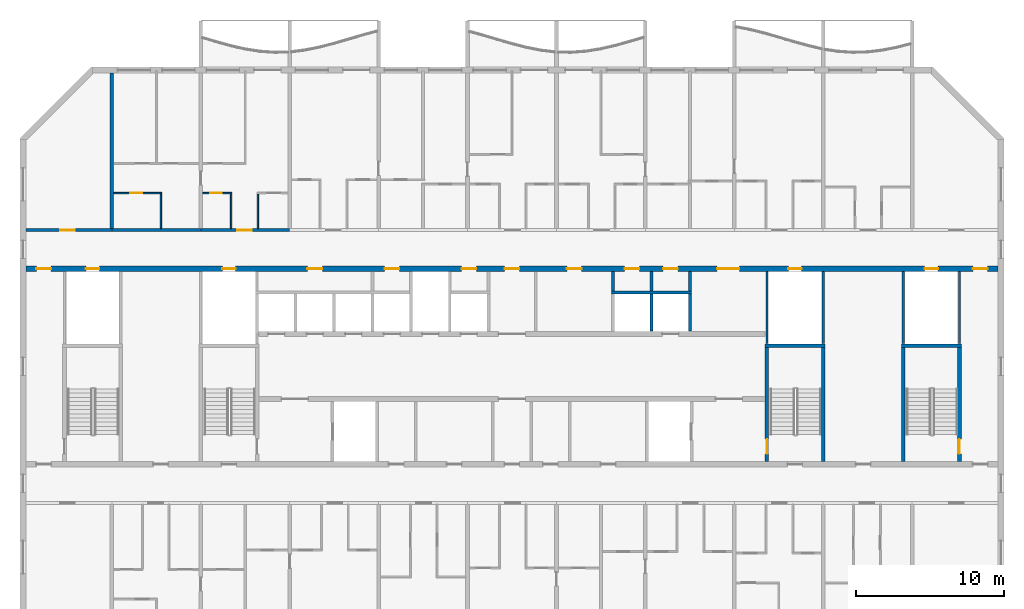
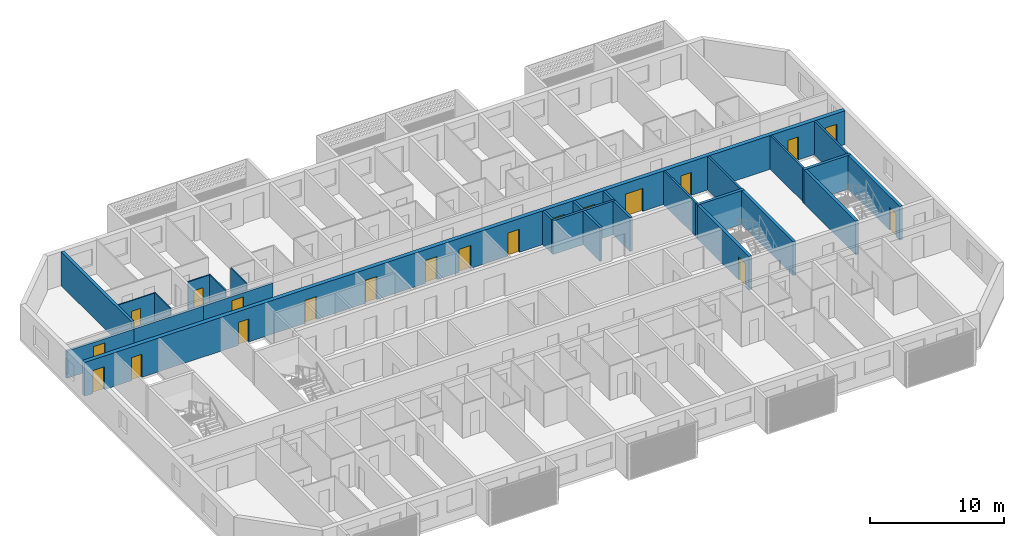
# One storey, part 7 of 27: 26 walls, 20 doors, 20 openings.
"""IFC4 building model written with IfcOpenShell, lengths in metres."""

from ifc_helpers import new_model, si_unit, direction, frame, frame_2d, origin, place, context, subcontext, project, spatial, rectangle, extrude, material, layer, layer_set, type_object, element, fill, save


model = new_model("IFC4")

# Units and contexts
model_context = context("Model", 3, precision=1e-05, world=origin(), true_north=direction((0.0, 1.0)))
body_context = subcontext(model_context, "Body", "Model", "MODEL_VIEW")
ifc_project = project(units=[si_unit("LENGTHUNIT", "METRE"), si_unit("AREAUNIT", "SQUARE_METRE"), si_unit("VOLUMEUNIT", "CUBIC_METRE"), si_unit("PLANEANGLEUNIT", "RADIAN"), si_unit("MASSUNIT", "GRAM", prefix="KILO")], contexts=[model_context])

# Site, building, storey
site_placement = place(None, origin())
site = spatial("IfcSite", under=ifc_project, at=site_placement, CompositionType="ELEMENT")
building_placement = place(site_placement, origin())
building = spatial("IfcBuilding", under=site, at=building_placement, Name="Poui Terraces", CompositionType="ELEMENT")
storey_placement = place(building_placement, frame((0.0, 0.0, 254.39990234375)))
storey = spatial("IfcBuildingStorey", under=building, at=storey_placement, Name="L71", CompositionType="ELEMENT", Elevation=254.39990234375)

# Wall, opening, door
ifc_material_1 = material(Name="Concrete 50 MPa", Category="concrete")
ifc_layer_1 = layer(ifc_material_1, 0.199951171875)
ifc_layer_set_1 = layer_set([ifc_layer_1], Name="Concrete 50 MPa")
wall_type_1 = type_object("IfcWallType", Name="CORRIDOR WALL 200 50MPa", PredefinedType="SHEAR", material=ifc_layer_set_1)
wall_1_placement = place(storey_placement, frame((18.199951171875, 30.39990234375, 0.0), z_axis=(0.0, 0.0, 1.0), x_axis=(1.0, 0.0, 0.0)))
wall_1 = element("IfcWall", 1, at=wall_1_placement, inside=storey, type_object=wall_type_1, Name="CORRIDOR WALL LINE E BAY 1", PredefinedType="SHEAR", context=body_context, shape_type="SweptSolid", body=[
    extrude(rectangle(XDim=5.800048828125, YDim=0.199951171875, at=frame_2d((2.89990234375, 0.0))), origin(), (0.0, 0.0, 1.0), 2.47998046875),
])
opening_1_placement = place(wall_1_placement, frame((2.300048828125, 0.0, 0.0)))
opening_1 = element("IfcOpeningElement", 2, at=opening_1_placement, cuts=wall_1, Name="Opening D100", PredefinedType="OPENING", context=body_context, shape_type="SweptSolid", body=[
    extrude(rectangle(XDim=1.0, YDim=2.10009765625, at=frame_2d((0.5, 1.050048828125))), frame((0.0, 0.10986328125, 0.0), z_axis=(0.0, -1.0, 0.0), x_axis=(1.0, 0.0, 0.0)), (0.0, 0.0, 1.0), 0.219970703125),
])
ifc_material_2 = material(Name="Solid core timber door", Category="wood")
door_type_1 = type_object("IfcDoorType", Name="ACCESSIBLE INTERNAL DOOR 1000 X 2100", OperationType="NOTDEFINED", PredefinedType="DOOR", material=ifc_material_2)
door_1_placement = place(opening_1_placement, origin())
door_1 = element("IfcDoor", 3, at=door_1_placement, inside=storey, type_object=door_type_1, Name="ACCESSIBLE INTERNAL DOOR 026", OperationType="SINGLE_SWING_LEFT", OverallHeight=2.10009765625, OverallWidth=1.0, PredefinedType="DOOR", context=body_context, shape_type="SweptSolid", body=[
    extrude(rectangle(XDim=1.0, YDim=2.10009765625, at=frame_2d((0.5, 1.050048828125))), frame((0.0, 0.02490234375, 0.0), z_axis=(0.0, -1.0, 0.0), x_axis=(1.0, 0.0, 0.0)), (0.0, 0.0, 1.0), 0.050048828125),
])
fill(opening_1, door_1)

# Wall
wall_2_placement = place(storey_placement, frame((24.0, 30.39990234375, 0.0), z_axis=(0.0, 0.0, 1.0), x_axis=(1.0, 0.0, 0.0)))
element("IfcWall", 4, at=wall_2_placement, inside=storey, type_object=wall_type_1, Name="CORRIDOR WALL LINE E BAY 2", PredefinedType="SHEAR", context=body_context, shape_type="SweptSolid", body=[
    extrude(rectangle(XDim=6.0, YDim=0.199951171875, at=frame_2d((3.0, 0.0))), origin(), (0.0, 0.0, 1.0), 2.47998046875),
])

# Wall, opening, door
wall_3_placement = place(storey_placement, frame((30.0, 30.39990234375, 0.0), z_axis=(0.0, 0.0, 1.0), x_axis=(1.0, 0.0, 0.0)))
wall_3 = element("IfcWall", 5, at=wall_3_placement, inside=storey, type_object=wall_type_1, Name="CORRIDOR WALL LINE E BAY 3", PredefinedType="SHEAR", context=body_context, shape_type="SweptSolid", body=[
    extrude(rectangle(XDim=6.0, YDim=0.199951171875, at=frame_2d((3.0, 0.0))), origin(), (0.0, 0.0, 1.0), 2.47998046875),
])
opening_2_placement = place(wall_3_placement, frame((2.449951171875, 0.0, 0.0)))
opening_2 = element("IfcOpeningElement", 6, at=opening_2_placement, cuts=wall_3, Name="Opening FD30S", PredefinedType="OPENING", context=body_context, shape_type="SweptSolid", body=[
    extrude(rectangle(XDim=1.0, YDim=2.10009765625, at=frame_2d((0.5, 1.050048828125))), frame((0.0, 0.10986328125, 0.0), z_axis=(0.0, -1.0, 0.0), x_axis=(1.0, 0.0, 0.0)), (0.0, 0.0, 1.0), 0.219970703125),
])
ifc_material_3 = material(Name="Steel fire door", Category="steel")
door_type_2 = type_object("IfcDoorType", Name="FLAT ENTRANCE DOOR 1000 X 2100", OperationType="NOTDEFINED", PredefinedType="DOOR", material=ifc_material_3)
door_2_placement = place(opening_2_placement, origin())
door_2 = element("IfcDoor", 7, at=door_2_placement, inside=storey, type_object=door_type_2, Name="FLAT ENTRANCE DOOR 033", OperationType="SINGLE_SWING_LEFT", OverallHeight=2.10009765625, OverallWidth=1.0, PredefinedType="DOOR", context=body_context, shape_type="SweptSolid", body=[
    extrude(rectangle(XDim=1.0, YDim=2.10009765625, at=frame_2d((0.5, 1.050048828125))), frame((0.0, 0.02490234375, 0.0), z_axis=(0.0, -1.0, 0.0), x_axis=(1.0, 0.0, 0.0)), (0.0, 0.0, 1.0), 0.050048828125),
])
fill(opening_2, door_2)

# Wall
ifc_layer_2 = layer(ifc_material_1, 0.25)
ifc_layer_set_2 = layer_set([ifc_layer_2], Name="Concrete 50 MPa")
wall_type_2 = type_object("IfcWallType", Name="CROSS WALL 250 50MPa", PredefinedType="SHEAR", material=ifc_layer_set_2)
wall_4_placement = place(storey_placement, frame((24.0, 30.5, 0.0), z_axis=(0.0, 0.0, 1.0), x_axis=(0.0, 1.0, 0.0)))
element("IfcWall", 8, at=wall_4_placement, inside=storey, type_object=wall_type_2, Name="CROSS WALL LINE 5 NORTH", PredefinedType="SHEAR", context=body_context, shape_type="SweptSolid", body=[
    extrude(rectangle(XDim=10.5, YDim=0.25, at=frame_2d((5.25, 0.0))), origin(), (0.0, 0.0, 1.0), 3.080078125),
])

# Wall, opening, door
ifc_material_4 = material(Name="Plasterboard partition")
ifc_layer_3 = layer(ifc_material_4, 0.10009765625)
ifc_layer_set_3 = layer_set([ifc_layer_3], Name="Plasterboard partition")
wall_type_3 = type_object("IfcWallType", Name="FLAT PARTITION 100", PredefinedType="PARTITIONING", material=ifc_layer_set_3)
wall_5_placement = place(storey_placement, frame((24.135009765625, 32.89990234375, 0.0), z_axis=(0.0, 0.0, 1.0), x_axis=(1.0, 0.0, 0.0)))
wall_5 = element("IfcWall", 9, at=wall_5_placement, inside=storey, type_object=wall_type_3, Name="FLAT PARTITION 100", PredefinedType="PARTITIONING", context=body_context, shape_type="SweptSolid", body=[
    extrude(rectangle(XDim=3.215087890625, YDim=0.10009765625, at=frame_2d((1.607421875, 0.0))), origin(), (0.0, 0.0, 1.0), 3.080078125),
])
opening_3_placement = place(wall_5_placement, frame((1.114990234375, 0.0, 0.0)))
opening_3 = element("IfcOpeningElement", 10, at=opening_3_placement, cuts=wall_5, Name="Opening D80", PredefinedType="OPENING", context=body_context, shape_type="SweptSolid", body=[
    extrude(rectangle(XDim=0.800048828125, YDim=2.10009765625, at=frame_2d((0.39990234375, 1.050048828125))), frame((0.0, 0.06005859375, 0.0), z_axis=(0.0, -1.0, 0.0), x_axis=(1.0, 0.0, 0.0)), (0.0, 0.0, 1.0), 0.1201171875),
])
door_type_3 = type_object("IfcDoorType", Name="BATHROOM, LAUNDRY AND STORE DOOR 800 X 2100", OperationType="NOTDEFINED", PredefinedType="DOOR", material=ifc_material_2)
door_3_placement = place(opening_3_placement, frame((0.800048828125, 0.0, 0.0), z_axis=(0.0, 0.0, 1.0), x_axis=(-1.0, 0.0, 0.0)))
door_3 = element("IfcDoor", 11, at=door_3_placement, inside=storey, type_object=door_type_3, Name="BATHROOM, LAUNDRY AND STORE DOOR 027", OperationType="SINGLE_SWING_LEFT", OverallHeight=2.10009765625, OverallWidth=0.800048828125, PredefinedType="DOOR", context=body_context, shape_type="SweptSolid", body=[
    extrude(rectangle(XDim=0.800048828125, YDim=2.10009765625, at=frame_2d((0.39990234375, 1.050048828125))), frame((0.0, 0.02490234375, 0.0), z_axis=(0.0, -1.0, 0.0), x_axis=(1.0, 0.0, 0.0)), (0.0, 0.0, 1.0), 0.050048828125),
])
fill(opening_3, door_3)

wall_6_placement = place(storey_placement, frame((30.135009765625, 32.89990234375, 0.0), z_axis=(0.0, 0.0, 1.0), x_axis=(1.0, 0.0, 0.0)))
wall_6 = element("IfcWall", 12, at=wall_6_placement, inside=storey, type_object=wall_type_3, Name="FLAT PARTITION 100", PredefinedType="PARTITIONING", context=body_context, shape_type="SweptSolid", body=[
    extrude(rectangle(XDim=1.965087890625, YDim=0.10009765625, at=frame_2d((0.982421875, 0.0))), origin(), (0.0, 0.0, 1.0), 3.080078125),
])
opening_4_placement = place(wall_6_placement, frame((0.489990234375, 0.0, 0.0)))
opening_4 = element("IfcOpeningElement", 13, at=opening_4_placement, cuts=wall_6, Name="Opening D80", PredefinedType="OPENING", context=body_context, shape_type="SweptSolid", body=[
    extrude(rectangle(XDim=0.800048828125, YDim=2.10009765625, at=frame_2d((0.39990234375, 1.050048828125))), frame((0.0, 0.06005859375, 0.0), z_axis=(0.0, -1.0, 0.0), x_axis=(1.0, 0.0, 0.0)), (0.0, 0.0, 1.0), 0.1201171875),
])
door_4_placement = place(opening_4_placement, frame((0.800048828125, 0.0, 0.0), z_axis=(0.0, 0.0, 1.0), x_axis=(-1.0, 0.0, 0.0)))
door_4 = element("IfcDoor", 14, at=door_4_placement, inside=storey, type_object=door_type_3, Name="BATHROOM, LAUNDRY AND STORE DOOR 032", OperationType="SINGLE_SWING_RIGHT", OverallHeight=2.10009765625, OverallWidth=0.800048828125, PredefinedType="DOOR", context=body_context, shape_type="SweptSolid", body=[
    extrude(rectangle(XDim=0.800048828125, YDim=2.10009765625, at=frame_2d((0.39990234375, 1.050048828125))), frame((0.0, 0.02490234375, 0.0), z_axis=(0.0, -1.0, 0.0), x_axis=(1.0, 0.0, 0.0)), (0.0, 0.0, 1.0), 0.050048828125),
])
fill(opening_4, door_4)

# Walls
for number, where, z_axis, x_axis, name in (
    (15, (27.300048828125, 30.510009765625, 0.0), (0.0, 0.0, 1.0), (0.0, 1.0, 0.0), "FLAT PARTITION 100"),
    (16, (32.050048828125, 30.510009765625, 0.0), (0.0, 0.0, 1.0), (0.0, 1.0, 0.0), "FLAT PARTITION 100"),
    (17, (33.85009765625, 30.510009765625, 0.0), (0.0, 0.0, 1.0), (0.0, 1.0, 0.0), "FLAT PARTITION 100"),
):
    element("IfcWall", number, at=place(storey_placement, frame(where, z_axis=z_axis, x_axis=x_axis)), inside=storey, type_object=wall_type_3, Name=name, PredefinedType="PARTITIONING", context=body_context, shape_type="SweptSolid", body=[
        extrude(rectangle(XDim=2.340087890625, YDim=0.10009765625, at=frame_2d((1.169921875, 0.0))), origin(), (0.0, 0.0, 1.0), 3.080078125),
    ])
ifc_material_5 = material(Name="Fire-rated masonry wall", Category="masonry")
ifc_layer_4 = layer(ifc_material_5, 0.199951171875)
ifc_layer_set_4 = layer_set([ifc_layer_4], Name="Fire-rated masonry wall")
wall_type_4 = type_object("IfcWallType", Name="PLANT ROOM WALL 200", PredefinedType="PARTITIONING", material=ifc_layer_set_4)
for number, where, z_axis, x_axis, name in (
    (18, (57.800048828125, 26.300048828125, 0.0), (0.0, 0.0, 1.0), (0.0, 1.0, 0.0), "PLANT ROOM WALL 200"),
    (19, (60.39990234375, 26.300048828125, 0.0), (0.0, 0.0, 1.0), (0.0, 1.0, 0.0), "PLANT ROOM WALL 200"),
    (20, (63.0, 26.300048828125, 0.0), (0.0, 0.0, 1.0), (0.0, 1.0, 0.0), "PLANT ROOM WALL 200"),
):
    element("IfcWall", number, at=place(storey_placement, frame(where, z_axis=z_axis, x_axis=x_axis)), inside=storey, type_object=wall_type_4, Name=name, PredefinedType="PARTITIONING", context=body_context, shape_type="SweptSolid", body=[
        extrude(rectangle(XDim=1.31494140625, YDim=0.199951171875, at=frame_2d((0.657470703125, 0.0))), origin(), (0.0, 0.0, 1.0), 3.080078125),
    ])
ifc_material_6 = material(Name="Fire-rated plasterboard riser wall")
ifc_layer_5 = layer(ifc_material_6, 0.14990234375)
ifc_layer_set_5 = layer_set([ifc_layer_5], Name="Fire-rated plasterboard riser wall")
wall_type_5 = type_object("IfcWallType", Name="RISER WALL 150", PredefinedType="PARTITIONING", material=ifc_layer_set_5)
for number, where, z_axis, x_axis, name in (
    (21, (68.199951171875, 22.735107421875, 0.0), (0.0, 0.0, 1.0), (0.0, 1.0, 0.0), "RISER WALL 150"),
    (22, (72.0, 22.735107421875, 0.0), (0.0, 0.0, 1.0), (0.0, 1.0, 0.0), "RISER WALL 150"),
    (23, (77.39990234375, 22.735107421875, 0.0), (0.0, 0.0, 1.0), (0.0, 1.0, 0.0), "RISER WALL 150"),
    (24, (81.199951171875, 22.735107421875, 0.0), (0.0, 0.0, 1.0), (0.0, 1.0, 0.0), "RISER WALL 150"),
):
    element("IfcWall", number, at=place(storey_placement, frame(where, z_axis=z_axis, x_axis=x_axis)), inside=storey, type_object=wall_type_5, Name=name, PredefinedType="PARTITIONING", context=body_context, shape_type="SweptSolid", body=[
        extrude(rectangle(XDim=4.8798828125, YDim=0.14990234375, at=frame_2d((2.43994140625, 0.0))), origin(), (0.0, 0.0, 1.0), 3.080078125),
    ])
ifc_material_7 = material(Name="Fire-rated masonry shaft wall", Category="masonry")
ifc_layer_6 = layer(ifc_material_7, 0.199951171875)
ifc_layer_set_6 = layer_set([ifc_layer_6], Name="Fire-rated masonry shaft wall")
wall_type_6 = type_object("IfcWallType", Name="SHAFT WALL 200", PredefinedType="PARTITIONING", material=ifc_layer_set_6)
wall_7_placement = place(storey_placement, frame((57.699951171875, 26.199951171875, 0.0), z_axis=(0.0, 0.0, 1.0), x_axis=(1.0, 0.0, 0.0)))
element("IfcWall", 25, at=wall_7_placement, inside=storey, type_object=wall_type_6, Name="SHAFT WALL 200", PredefinedType="PARTITIONING", context=body_context, shape_type="SweptSolid", body=[
    extrude(rectangle(XDim=5.400146484375, YDim=0.199951171875, at=frame_2d((2.7001953125, 0.0))), origin(), (0.0, 0.0, 1.0), 3.080078125),
])
for number, where, z_axis, x_axis, name in (
    (26, (60.39990234375, 23.5849609375, 0.0), (0.0, 0.0, 1.0), (0.0, 1.0, 0.0), "SHAFT WALL 200"),
    (27, (63.0, 23.5849609375, 0.0), (0.0, 0.0, 1.0), (0.0, 1.0, 0.0), "SHAFT WALL 200"),
):
    element("IfcWall", number, at=place(storey_placement, frame(where, z_axis=z_axis, x_axis=x_axis)), inside=storey, type_object=wall_type_6, Name=name, PredefinedType="PARTITIONING", context=body_context, shape_type="SweptSolid", body=[
        extrude(rectangle(XDim=2.51513671875, YDim=0.199951171875, at=frame_2d((1.257568359375, 0.0))), origin(), (0.0, 0.0, 1.0), 3.080078125),
    ])

# Wall, openings, doors
ifc_layer_7 = layer(ifc_material_1, 0.35009765625)
ifc_layer_set_7 = layer_set([ifc_layer_7], Name="Concrete 50 MPa")
wall_type_7 = type_object("IfcWallType", Name="SPINE WALL 350 50 MPA", PredefinedType="SOLIDWALL", material=ifc_layer_set_7)
wall_8_placement = place(storey_placement, frame((18.199951171875, 27.800048828125, 0.0), z_axis=(0.0, 0.0, 1.0), x_axis=(1.0, 0.0, 0.0)))
wall_8 = element("IfcWall", 28, at=wall_8_placement, inside=storey, type_object=wall_type_7, Name="SPINE WALL", PredefinedType="SOLIDWALL", context=body_context, shape_type="SweptSolid", body=[
    extrude(rectangle(XDim=65.60009765625, YDim=0.35009765625, at=frame_2d((32.800048828125, 0.0))), origin(), (0.0, 0.0, 1.0), 3.080078125),
])
opening_5_placement = place(wall_8_placement, frame((0.699951171875, 0.0, 0.0)))
opening_5 = element("IfcOpeningElement", 29, at=opening_5_placement, cuts=wall_8, Name="Opening FDL", PredefinedType="OPENING", context=body_context, shape_type="SweptSolid", body=[
    extrude(rectangle(XDim=1.0, YDim=2.10009765625, at=frame_2d((0.5, 1.050048828125))), frame((0.0, 0.18505859375, 0.0), z_axis=(0.0, -1.0, 0.0), x_axis=(1.0, 0.0, 0.0)), (0.0, 0.0, 1.0), 0.3701171875),
])
opening_6_placement = place(wall_8_placement, frame((4.050048828125, 0.0, 0.0)))
opening_6 = element("IfcOpeningElement", 30, at=opening_6_placement, cuts=wall_8, Name="Opening FDR", PredefinedType="OPENING", context=body_context, shape_type="SweptSolid", body=[
    extrude(rectangle(XDim=0.89990234375, YDim=2.10009765625, at=frame_2d((0.449951171875, 1.050048828125))), frame((0.0, 0.18505859375, 0.0), z_axis=(0.0, -1.0, 0.0), x_axis=(1.0, 0.0, 0.0)), (0.0, 0.0, 1.0), 0.3701171875),
])
opening_7_placement = place(wall_8_placement, frame((13.25, 0.0, 0.0)))
opening_7 = element("IfcOpeningElement", 31, at=opening_7_placement, cuts=wall_8, Name="Opening FDR", PredefinedType="OPENING", context=body_context, shape_type="SweptSolid", body=[
    extrude(rectangle(XDim=0.89990234375, YDim=2.10009765625, at=frame_2d((0.449951171875, 1.050048828125))), frame((0.0, 0.18505859375, 0.0), z_axis=(0.0, -1.0, 0.0), x_axis=(1.0, 0.0, 0.0)), (0.0, 0.0, 1.0), 0.3701171875),
])
opening_8_placement = place(wall_8_placement, frame((19.0, 0.0, 0.0)))
opening_8 = element("IfcOpeningElement", 32, at=opening_8_placement, cuts=wall_8, Name="Opening FD60", PredefinedType="OPENING", context=body_context, shape_type="SweptSolid", body=[
    extrude(rectangle(XDim=1.0, YDim=2.10009765625, at=frame_2d((0.5, 1.050048828125))), frame((0.0, 0.18505859375, 0.0), z_axis=(0.0, -1.0, 0.0), x_axis=(1.0, 0.0, 0.0)), (0.0, 0.0, 1.0), 0.3701171875),
])
opening_9_placement = place(wall_8_placement, frame((24.199951171875, 0.0, 0.0)))
opening_9 = element("IfcOpeningElement", 33, at=opening_9_placement, cuts=wall_8, Name="Opening FD60", PredefinedType="OPENING", context=body_context, shape_type="SweptSolid", body=[
    extrude(rectangle(XDim=1.0, YDim=2.10009765625, at=frame_2d((0.5, 1.050048828125))), frame((0.0, 0.18505859375, 0.0), z_axis=(0.0, -1.0, 0.0), x_axis=(1.0, 0.0, 0.0)), (0.0, 0.0, 1.0), 0.3701171875),
])
opening_10_placement = place(wall_8_placement, frame((29.39990234375, 0.0, 0.0)))
opening_10 = element("IfcOpeningElement", 34, at=opening_10_placement, cuts=wall_8, Name="Opening FD60", PredefinedType="OPENING", context=body_context, shape_type="SweptSolid", body=[
    extrude(rectangle(XDim=1.0, YDim=2.10009765625, at=frame_2d((0.5, 1.050048828125))), frame((0.0, 0.18505859375, 0.0), z_axis=(0.0, -1.0, 0.0), x_axis=(1.0, 0.0, 0.0)), (0.0, 0.0, 1.0), 0.3701171875),
])
opening_11_placement = place(wall_8_placement, frame((32.300048828125, 0.0, 0.0)))
opening_11 = element("IfcOpeningElement", 35, at=opening_11_placement, cuts=wall_8, Name="Opening FDL", PredefinedType="OPENING", context=body_context, shape_type="SweptSolid", body=[
    extrude(rectangle(XDim=1.0, YDim=2.10009765625, at=frame_2d((0.5, 1.050048828125))), frame((0.0, 0.18505859375, 0.0), z_axis=(0.0, -1.0, 0.0), x_axis=(1.0, 0.0, 0.0)), (0.0, 0.0, 1.0), 0.3701171875),
])
opening_12_placement = place(wall_8_placement, frame((36.5, 0.0, 0.0)))
opening_12 = element("IfcOpeningElement", 36, at=opening_12_placement, cuts=wall_8, Name="Opening FD60", PredefinedType="OPENING", context=body_context, shape_type="SweptSolid", body=[
    extrude(rectangle(XDim=1.0, YDim=2.10009765625, at=frame_2d((0.5, 1.050048828125))), frame((0.0, 0.18505859375, 0.0), z_axis=(0.0, -1.0, 0.0), x_axis=(1.0, 0.0, 0.0)), (0.0, 0.0, 1.0), 0.3701171875),
])
opening_13_placement = place(wall_8_placement, frame((40.39990234375, 0.0, 0.0)))
opening_13 = element("IfcOpeningElement", 37, at=opening_13_placement, cuts=wall_8, Name="Opening FD60", PredefinedType="OPENING", context=body_context, shape_type="SweptSolid", body=[
    extrude(rectangle(XDim=1.0, YDim=2.10009765625, at=frame_2d((0.5, 1.050048828125))), frame((0.0, 0.18505859375, 0.0), z_axis=(0.0, -1.0, 0.0), x_axis=(1.0, 0.0, 0.0)), (0.0, 0.0, 1.0), 0.3701171875),
])
opening_14_placement = place(wall_8_placement, frame((43.0, 0.0, 0.0)))
opening_14 = element("IfcOpeningElement", 38, at=opening_14_placement, cuts=wall_8, Name="Opening FD60", PredefinedType="OPENING", context=body_context, shape_type="SweptSolid", body=[
    extrude(rectangle(XDim=1.0, YDim=2.10009765625, at=frame_2d((0.5, 1.050048828125))), frame((0.0, 0.18505859375, 0.0), z_axis=(0.0, -1.0, 0.0), x_axis=(1.0, 0.0, 0.0)), (0.0, 0.0, 1.0), 0.3701171875),
])
opening_15_placement = place(wall_8_placement, frame((46.64990234375, 0.0, 0.0)))
opening_15 = element("IfcOpeningElement", 39, at=opening_15_placement, cuts=wall_8, Name="Opening FDP", PredefinedType="OPENING", context=body_context, shape_type="SweptSolid", body=[
    extrude(rectangle(XDim=1.5, YDim=2.10009765625, at=frame_2d((0.75, 1.050048828125))), frame((0.0, 0.18505859375, 0.0), z_axis=(0.0, -1.0, 0.0), x_axis=(1.0, 0.0, 0.0)), (0.0, 0.0, 1.0), 0.3701171875),
])
opening_16_placement = place(wall_8_placement, frame((51.449951171875, 0.0, 0.0)))
opening_16 = element("IfcOpeningElement", 40, at=opening_16_placement, cuts=wall_8, Name="Opening FDR", PredefinedType="OPENING", context=body_context, shape_type="SweptSolid", body=[
    extrude(rectangle(XDim=0.89990234375, YDim=2.10009765625, at=frame_2d((0.449951171875, 1.050048828125))), frame((0.0, 0.18505859375, 0.0), z_axis=(0.0, -1.0, 0.0), x_axis=(1.0, 0.0, 0.0)), (0.0, 0.0, 1.0), 0.3701171875),
])
opening_17_placement = place(wall_8_placement, frame((60.64990234375, 0.0, 0.0)))
opening_17 = element("IfcOpeningElement", 41, at=opening_17_placement, cuts=wall_8, Name="Opening FDR", PredefinedType="OPENING", context=body_context, shape_type="SweptSolid", body=[
    extrude(rectangle(XDim=0.89990234375, YDim=2.10009765625, at=frame_2d((0.449951171875, 1.050048828125))), frame((0.0, 0.18505859375, 0.0), z_axis=(0.0, -1.0, 0.0), x_axis=(1.0, 0.0, 0.0)), (0.0, 0.0, 1.0), 0.3701171875),
])
opening_18_placement = place(wall_8_placement, frame((63.89990234375, 0.0, 0.0)))
opening_18 = element("IfcOpeningElement", 42, at=opening_18_placement, cuts=wall_8, Name="Opening FDL", PredefinedType="OPENING", context=body_context, shape_type="SweptSolid", body=[
    extrude(rectangle(XDim=1.0, YDim=2.10009765625, at=frame_2d((0.5, 1.050048828125))), frame((0.0, 0.18505859375, 0.0), z_axis=(0.0, -1.0, 0.0), x_axis=(1.0, 0.0, 0.0)), (0.0, 0.0, 1.0), 0.3701171875),
])
door_type_4 = type_object("IfcDoorType", Name="LOBBY FIRE DOOR 1000 X 2100", OperationType="NOTDEFINED", PredefinedType="DOOR", material=ifc_material_3)
door_5_placement = place(opening_5_placement, origin())
door_5 = element("IfcDoor", 43, at=door_5_placement, inside=storey, type_object=door_type_4, Name="LOBBY FIRE DOOR 001", OperationType="SINGLE_SWING_LEFT", OverallHeight=2.10009765625, OverallWidth=1.0, PredefinedType="DOOR", context=body_context, shape_type="SweptSolid", body=[
    extrude(rectangle(XDim=1.0, YDim=2.10009765625, at=frame_2d((0.5, 1.050048828125))), frame((0.0, 0.02490234375, 0.0), z_axis=(0.0, -1.0, 0.0), x_axis=(1.0, 0.0, 0.0)), (0.0, 0.0, 1.0), 0.050048828125),
])
fill(opening_5, door_5)
door_6_placement = place(opening_11_placement, origin())
door_6 = element("IfcDoor", 44, at=door_6_placement, inside=storey, type_object=door_type_4, Name="LOBBY FIRE DOOR 007", OperationType="SINGLE_SWING_RIGHT", OverallHeight=2.10009765625, OverallWidth=1.0, PredefinedType="DOOR", context=body_context, shape_type="SweptSolid", body=[
    extrude(rectangle(XDim=1.0, YDim=2.10009765625, at=frame_2d((0.5, 1.050048828125))), frame((0.0, 0.02490234375, 0.0), z_axis=(0.0, -1.0, 0.0), x_axis=(1.0, 0.0, 0.0)), (0.0, 0.0, 1.0), 0.050048828125),
])
fill(opening_11, door_6)
door_7_placement = place(opening_18_placement, origin())
door_7 = element("IfcDoor", 45, at=door_7_placement, inside=storey, type_object=door_type_4, Name="LOBBY FIRE DOOR 014", OperationType="SINGLE_SWING_RIGHT", OverallHeight=2.10009765625, OverallWidth=1.0, PredefinedType="DOOR", context=body_context, shape_type="SweptSolid", body=[
    extrude(rectangle(XDim=1.0, YDim=2.10009765625, at=frame_2d((0.5, 1.050048828125))), frame((0.0, 0.02490234375, 0.0), z_axis=(0.0, -1.0, 0.0), x_axis=(1.0, 0.0, 0.0)), (0.0, 0.0, 1.0), 0.050048828125),
])
fill(opening_18, door_7)
door_type_5 = type_object("IfcDoorType", Name="PLANT ROOM DOOR PAIR 1500 X 2100", OperationType="DOUBLE_DOOR_SINGLE_SWING", PredefinedType="DOOR", material=ifc_material_3)
door_8_placement = place(opening_15_placement, origin())
door_8 = element("IfcDoor", 46, at=door_8_placement, inside=storey, type_object=door_type_5, Name="PLANT ROOM DOOR PAIR 011", OperationType="DOUBLE_DOOR_SINGLE_SWING", OverallHeight=2.10009765625, OverallWidth=1.5, PredefinedType="DOOR", context=body_context, shape_type="SweptSolid", body=[
    extrude(rectangle(XDim=1.5, YDim=2.10009765625, at=frame_2d((0.75, 1.050048828125))), frame((0.0, 0.02490234375, 0.0), z_axis=(0.0, -1.0, 0.0), x_axis=(1.0, 0.0, 0.0)), (0.0, 0.0, 1.0), 0.050048828125),
])
fill(opening_15, door_8)
door_type_6 = type_object("IfcDoorType", Name="RISER CUPBOARD DOOR 900 X 2100", OperationType="NOTDEFINED", PredefinedType="DOOR", material=ifc_material_3)
door_9_placement = place(opening_6_placement, origin())
door_9 = element("IfcDoor", 47, at=door_9_placement, inside=storey, type_object=door_type_6, Name="RISER CUPBOARD DOOR 002", OperationType="SINGLE_SWING_LEFT", OverallHeight=2.10009765625, OverallWidth=0.89990234375, PredefinedType="DOOR", context=body_context, shape_type="SweptSolid", body=[
    extrude(rectangle(XDim=0.89990234375, YDim=2.10009765625, at=frame_2d((0.449951171875, 1.050048828125))), frame((0.0, 0.02490234375, 0.0), z_axis=(0.0, -1.0, 0.0), x_axis=(1.0, 0.0, 0.0)), (0.0, 0.0, 1.0), 0.050048828125),
])
fill(opening_6, door_9)
door_10_placement = place(opening_7_placement, origin())
door_10 = element("IfcDoor", 48, at=door_10_placement, inside=storey, type_object=door_type_6, Name="RISER CUPBOARD DOOR 003", OperationType="SINGLE_SWING_LEFT", OverallHeight=2.10009765625, OverallWidth=0.89990234375, PredefinedType="DOOR", context=body_context, shape_type="SweptSolid", body=[
    extrude(rectangle(XDim=0.89990234375, YDim=2.10009765625, at=frame_2d((0.449951171875, 1.050048828125))), frame((0.0, 0.02490234375, 0.0), z_axis=(0.0, -1.0, 0.0), x_axis=(1.0, 0.0, 0.0)), (0.0, 0.0, 1.0), 0.050048828125),
])
fill(opening_7, door_10)
door_11_placement = place(opening_16_placement, origin())
door_11 = element("IfcDoor", 49, at=door_11_placement, inside=storey, type_object=door_type_6, Name="RISER CUPBOARD DOOR 012", OperationType="SINGLE_SWING_RIGHT", OverallHeight=2.10009765625, OverallWidth=0.89990234375, PredefinedType="DOOR", context=body_context, shape_type="SweptSolid", body=[
    extrude(rectangle(XDim=0.89990234375, YDim=2.10009765625, at=frame_2d((0.449951171875, 1.050048828125))), frame((0.0, 0.02490234375, 0.0), z_axis=(0.0, -1.0, 0.0), x_axis=(1.0, 0.0, 0.0)), (0.0, 0.0, 1.0), 0.050048828125),
])
fill(opening_16, door_11)
door_12_placement = place(opening_17_placement, origin())
door_12 = element("IfcDoor", 50, at=door_12_placement, inside=storey, type_object=door_type_6, Name="RISER CUPBOARD DOOR 013", OperationType="SINGLE_SWING_RIGHT", OverallHeight=2.10009765625, OverallWidth=0.89990234375, PredefinedType="DOOR", context=body_context, shape_type="SweptSolid", body=[
    extrude(rectangle(XDim=0.89990234375, YDim=2.10009765625, at=frame_2d((0.449951171875, 1.050048828125))), frame((0.0, 0.02490234375, 0.0), z_axis=(0.0, -1.0, 0.0), x_axis=(1.0, 0.0, 0.0)), (0.0, 0.0, 1.0), 0.050048828125),
])
fill(opening_17, door_12)
door_type_7 = type_object("IfcDoorType", Name="SERVICE ROOM FIRE DOOR 1000 X 2100", OperationType="NOTDEFINED", PredefinedType="DOOR", material=ifc_material_3)
door_13_placement = place(opening_8_placement, origin())
door_13 = element("IfcDoor", 51, at=door_13_placement, inside=storey, type_object=door_type_7, Name="SERVICE ROOM FIRE DOOR 004", OperationType="SINGLE_SWING_LEFT", OverallHeight=2.10009765625, OverallWidth=1.0, PredefinedType="DOOR", context=body_context, shape_type="SweptSolid", body=[
    extrude(rectangle(XDim=1.0, YDim=2.10009765625, at=frame_2d((0.5, 1.050048828125))), frame((0.0, 0.02490234375, 0.0), z_axis=(0.0, -1.0, 0.0), x_axis=(1.0, 0.0, 0.0)), (0.0, 0.0, 1.0), 0.050048828125),
])
fill(opening_8, door_13)
door_14_placement = place(opening_9_placement, origin())
door_14 = element("IfcDoor", 52, at=door_14_placement, inside=storey, type_object=door_type_7, Name="SERVICE ROOM FIRE DOOR 005", OperationType="SINGLE_SWING_RIGHT", OverallHeight=2.10009765625, OverallWidth=1.0, PredefinedType="DOOR", context=body_context, shape_type="SweptSolid", body=[
    extrude(rectangle(XDim=1.0, YDim=2.10009765625, at=frame_2d((0.5, 1.050048828125))), frame((0.0, 0.02490234375, 0.0), z_axis=(0.0, -1.0, 0.0), x_axis=(1.0, 0.0, 0.0)), (0.0, 0.0, 1.0), 0.050048828125),
])
fill(opening_9, door_14)
door_15_placement = place(opening_10_placement, origin())
door_15 = element("IfcDoor", 53, at=door_15_placement, inside=storey, type_object=door_type_7, Name="SERVICE ROOM FIRE DOOR 006", OperationType="SINGLE_SWING_LEFT", OverallHeight=2.10009765625, OverallWidth=1.0, PredefinedType="DOOR", context=body_context, shape_type="SweptSolid", body=[
    extrude(rectangle(XDim=1.0, YDim=2.10009765625, at=frame_2d((0.5, 1.050048828125))), frame((0.0, 0.02490234375, 0.0), z_axis=(0.0, -1.0, 0.0), x_axis=(1.0, 0.0, 0.0)), (0.0, 0.0, 1.0), 0.050048828125),
])
fill(opening_10, door_15)
door_16_placement = place(opening_12_placement, origin())
door_16 = element("IfcDoor", 54, at=door_16_placement, inside=storey, type_object=door_type_7, Name="SERVICE ROOM FIRE DOOR 008", OperationType="SINGLE_SWING_RIGHT", OverallHeight=2.10009765625, OverallWidth=1.0, PredefinedType="DOOR", context=body_context, shape_type="SweptSolid", body=[
    extrude(rectangle(XDim=1.0, YDim=2.10009765625, at=frame_2d((0.5, 1.050048828125))), frame((0.0, 0.02490234375, 0.0), z_axis=(0.0, -1.0, 0.0), x_axis=(1.0, 0.0, 0.0)), (0.0, 0.0, 1.0), 0.050048828125),
])
fill(opening_12, door_16)
door_17_placement = place(opening_13_placement, origin())
door_17 = element("IfcDoor", 55, at=door_17_placement, inside=storey, type_object=door_type_7, Name="SERVICE ROOM FIRE DOOR 009", OperationType="SINGLE_SWING_LEFT", OverallHeight=2.10009765625, OverallWidth=1.0, PredefinedType="DOOR", context=body_context, shape_type="SweptSolid", body=[
    extrude(rectangle(XDim=1.0, YDim=2.10009765625, at=frame_2d((0.5, 1.050048828125))), frame((0.0, 0.02490234375, 0.0), z_axis=(0.0, -1.0, 0.0), x_axis=(1.0, 0.0, 0.0)), (0.0, 0.0, 1.0), 0.050048828125),
])
fill(opening_13, door_17)
door_18_placement = place(opening_14_placement, origin())
door_18 = element("IfcDoor", 56, at=door_18_placement, inside=storey, type_object=door_type_7, Name="SERVICE ROOM FIRE DOOR 010", OperationType="SINGLE_SWING_RIGHT", OverallHeight=2.10009765625, OverallWidth=1.0, PredefinedType="DOOR", context=body_context, shape_type="SweptSolid", body=[
    extrude(rectangle(XDim=1.0, YDim=2.10009765625, at=frame_2d((0.5, 1.050048828125))), frame((0.0, 0.02490234375, 0.0), z_axis=(0.0, -1.0, 0.0), x_axis=(1.0, 0.0, 0.0)), (0.0, 0.0, 1.0), 0.050048828125),
])
fill(opening_14, door_18)

# Wall, opening, door
ifc_layer_8 = layer(ifc_material_1, 0.25)
ifc_layer_set_8 = layer_set([ifc_layer_8], Name="Concrete 50 MPa")
wall_type_8 = type_object("IfcWallType", Name="STAIR CORE WALL 250 50 MPA", PredefinedType="SOLIDWALL", material=ifc_layer_set_8)
wall_9_placement = place(storey_placement, frame((68.199951171875, 14.77490234375, 0.0), z_axis=(0.0, 0.0, 1.0), x_axis=(0.0, 1.0, 0.0)))
wall_9 = element("IfcWall", 57, at=wall_9_placement, inside=storey, type_object=wall_type_8, Name="STAIR CORE WALL", PredefinedType="SOLIDWALL", context=body_context, shape_type="SweptSolid", body=[
    extrude(rectangle(XDim=7.7001953125, YDim=0.25, at=frame_2d((3.85009765625, 0.0))), origin(), (0.0, 0.0, 1.0), 3.080078125),
])
opening_19_placement = place(wall_9_placement, frame((0.52490234375, 0.0, 0.0)))
opening_19 = element("IfcOpeningElement", 58, at=opening_19_placement, cuts=wall_9, Name="Opening FD60S", PredefinedType="OPENING", context=body_context, shape_type="SweptSolid", body=[
    extrude(rectangle(XDim=1.0, YDim=2.10009765625, at=frame_2d((0.5, 1.050048828125))), frame((0.0, 0.135009765625, 0.0), z_axis=(0.0, -1.0, 0.0), x_axis=(1.0, 0.0, 0.0)), (0.0, 0.0, 1.0), 0.27001953125),
])
door_type_8 = type_object("IfcDoorType", Name="STAIR DOOR 1000 X 2100", OperationType="NOTDEFINED", PredefinedType="DOOR", material=ifc_material_3)
door_19_placement = place(opening_19_placement, frame((1.0, 0.0, 0.0), z_axis=(0.0, 0.0, 1.0), x_axis=(-1.0, 0.0, 0.0)))
door_19 = element("IfcDoor", 59, at=door_19_placement, inside=storey, type_object=door_type_8, Name="STAIR DOOR 095", OperationType="SINGLE_SWING_LEFT", OverallHeight=2.10009765625, OverallWidth=1.0, PredefinedType="DOOR", context=body_context, shape_type="SweptSolid", body=[
    extrude(rectangle(XDim=1.0, YDim=2.10009765625, at=frame_2d((0.5, 1.050048828125))), frame((0.0, 0.02490234375, 0.0), z_axis=(0.0, -1.0, 0.0), x_axis=(1.0, 0.0, 0.0)), (0.0, 0.0, 1.0), 0.050048828125),
])
fill(opening_19, door_19)

# Walls
wall_10_placement = place(storey_placement, frame((72.0, 14.77490234375, 0.0), z_axis=(0.0, 0.0, 1.0), x_axis=(0.0, 1.0, 0.0)))
element("IfcWall", 60, at=wall_10_placement, inside=storey, type_object=wall_type_8, Name="STAIR CORE WALL", PredefinedType="SOLIDWALL", context=body_context, shape_type="SweptSolid", body=[
    extrude(rectangle(XDim=7.7001953125, YDim=0.25, at=frame_2d((3.85009765625, 0.0))), origin(), (0.0, 0.0, 1.0), 3.080078125),
])
wall_11_placement = place(storey_placement, frame((68.074951171875, 22.60009765625, 0.0), z_axis=(0.0, 0.0, 1.0), x_axis=(1.0, 0.0, 0.0)))
element("IfcWall", 61, at=wall_11_placement, inside=storey, type_object=wall_type_8, Name="STAIR CORE WALL", PredefinedType="SOLIDWALL", context=body_context, shape_type="SweptSolid", body=[
    extrude(rectangle(XDim=4.050048828125, YDim=0.25, at=frame_2d((2.02490234375, 0.0))), origin(), (0.0, 0.0, 1.0), 3.080078125),
])
wall_12_placement = place(storey_placement, frame((77.39990234375, 14.77490234375, 0.0), z_axis=(0.0, 0.0, 1.0), x_axis=(0.0, 1.0, 0.0)))
element("IfcWall", 62, at=wall_12_placement, inside=storey, type_object=wall_type_8, Name="STAIR CORE WALL", PredefinedType="SOLIDWALL", context=body_context, shape_type="SweptSolid", body=[
    extrude(rectangle(XDim=7.7001953125, YDim=0.25, at=frame_2d((3.85009765625, 0.0))), origin(), (0.0, 0.0, 1.0), 3.080078125),
])

# Wall, opening, door
wall_13_placement = place(storey_placement, frame((81.199951171875, 14.77490234375, 0.0), z_axis=(0.0, 0.0, 1.0), x_axis=(0.0, 1.0, 0.0)))
wall_13 = element("IfcWall", 63, at=wall_13_placement, inside=storey, type_object=wall_type_8, Name="STAIR CORE WALL", PredefinedType="SOLIDWALL", context=body_context, shape_type="SweptSolid", body=[
    extrude(rectangle(XDim=7.7001953125, YDim=0.25, at=frame_2d((3.85009765625, 0.0))), origin(), (0.0, 0.0, 1.0), 3.080078125),
])
opening_20_placement = place(wall_13_placement, frame((0.52490234375, 0.0, 0.0)))
opening_20 = element("IfcOpeningElement", 64, at=opening_20_placement, cuts=wall_13, Name="Opening FD60S", PredefinedType="OPENING", context=body_context, shape_type="SweptSolid", body=[
    extrude(rectangle(XDim=1.0, YDim=2.10009765625, at=frame_2d((0.5, 1.050048828125))), frame((0.0, 0.135009765625, 0.0), z_axis=(0.0, -1.0, 0.0), x_axis=(1.0, 0.0, 0.0)), (0.0, 0.0, 1.0), 0.27001953125),
])
door_20_placement = place(opening_20_placement, origin())
door_20 = element("IfcDoor", 65, at=door_20_placement, inside=storey, type_object=door_type_8, Name="STAIR DOOR 109", OperationType="SINGLE_SWING_LEFT", OverallHeight=2.10009765625, OverallWidth=1.0, PredefinedType="DOOR", context=body_context, shape_type="SweptSolid", body=[
    extrude(rectangle(XDim=1.0, YDim=2.10009765625, at=frame_2d((0.5, 1.050048828125))), frame((0.0, 0.02490234375, 0.0), z_axis=(0.0, -1.0, 0.0), x_axis=(1.0, 0.0, 0.0)), (0.0, 0.0, 1.0), 0.050048828125),
])
fill(opening_20, door_20)

# Wall
wall_14_placement = place(storey_placement, frame((77.27490234375, 22.60009765625, 0.0), z_axis=(0.0, 0.0, 1.0), x_axis=(1.0, 0.0, 0.0)))
element("IfcWall", 66, at=wall_14_placement, inside=storey, type_object=wall_type_8, Name="STAIR CORE WALL", PredefinedType="SOLIDWALL", context=body_context, shape_type="SweptSolid", body=[
    extrude(rectangle(XDim=4.050048828125, YDim=0.25, at=frame_2d((2.02490234375, 0.0))), origin(), (0.0, 0.0, 1.0), 3.080078125),
])

save(model, "model.ifc")
